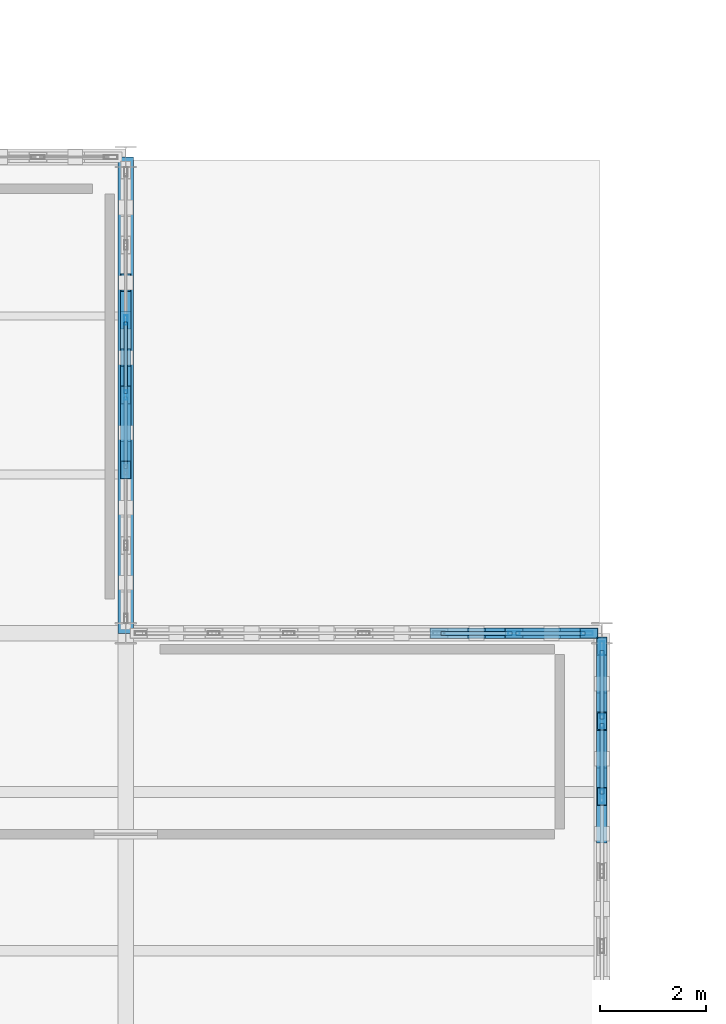
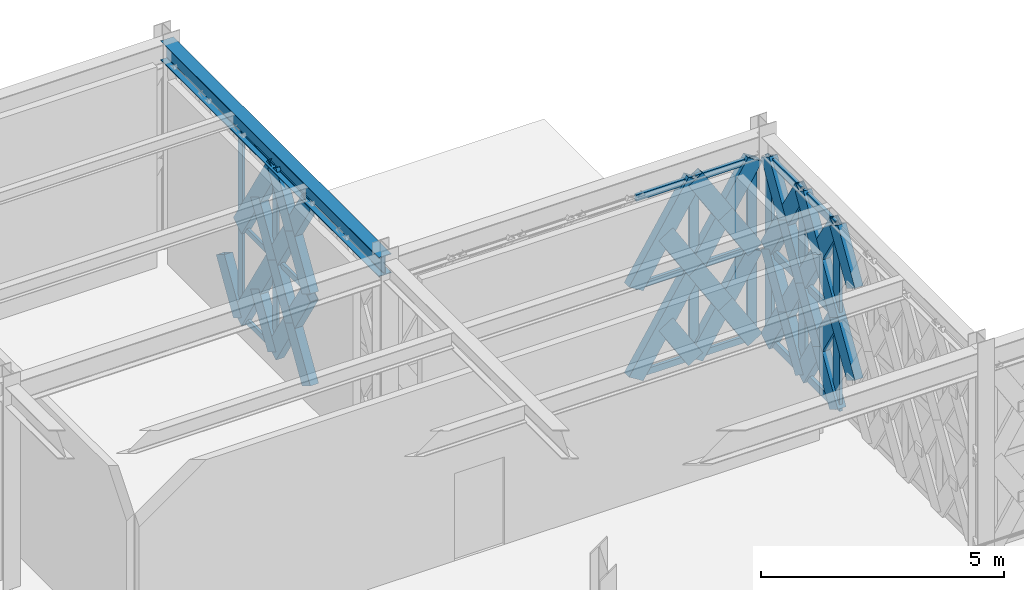
# One storey, part 98 of 140: 59 members, 1 beam, 3 elements without a shape of their own.
"""IFC4 building model written with IfcOpenShell, lengths in metres."""

from ifc_helpers import new_model, si_unit, direction, frame, origin, origin_2d, place, context, subcontext, project, spatial, hollow_rectangle, i_section, extrude, material, material_profile, profile_set, type_object, element, aggregate, save


model = new_model("IFC4")

# Units and contexts
model_context = context("Model", 3, precision=1e-05, world=origin(), true_north=direction((0.0, 1.0)))
body_context = subcontext(model_context, "Body", "Model", "MODEL_VIEW")
ifc_project = project(units=[si_unit("LENGTHUNIT", "METRE"), si_unit("AREAUNIT", "SQUARE_METRE"), si_unit("VOLUMEUNIT", "CUBIC_METRE"), si_unit("PLANEANGLEUNIT", "RADIAN"), si_unit("MASSUNIT", "GRAM", prefix="KILO")], contexts=[model_context])

# Site, building, storey
site_placement = place(None, origin())
site = spatial("IfcSite", under=ifc_project, at=site_placement, CompositionType="ELEMENT")
building_placement = place(site_placement, origin())
building = spatial("IfcBuilding", under=site, at=building_placement, Name="Haizhuo Lancet Aquarium", CompositionType="ELEMENT")
storey_placement = place(building_placement, origin())
storey = spatial("IfcBuildingStorey", under=building, at=storey_placement, Name="L00", CompositionType="ELEMENT", Elevation=0.0)

# Beam
ifc_material_1 = material(Name="Steel S355", Category="steel")
ifc_material_profile_1 = material_profile(ifc_material_1, i_section(OverallWidth=0.300048828125, OverallDepth=0.488037109375, WebThickness=0.010986328125, FlangeThickness=0.01806640625, FilletRadius=0.02392578125, at=origin_2d()), Name="HM 488x300x11x18")
ifc_profile_set_1 = profile_set([ifc_material_profile_1], Name="Steel S355")
beam_type = type_object("IfcBeamType", Name="BM-ST-HM488", PredefinedType="BEAM", material=ifc_profile_set_1)
beam_placement = place(storey_placement, frame((63.0, 27.0, 4.8759765625), z_axis=(0.0, 1.0, 0.0), x_axis=(-1.0, 0.0, 0.0)))
element("IfcBeam", 1, at=beam_placement, inside=storey, type_object=beam_type, Name="L00 V7 primary girder BM-L00-V7-021", PredefinedType="BEAM", context=body_context, shape_type="SweptSolid", body=[
    extrude(i_section(OverallWidth=0.300048828125, OverallDepth=0.488037109375, WebThickness=0.010986328125, FlangeThickness=0.01806640625, FilletRadius=0.02392578125, at=origin_2d()), origin(), (0.0, 0.0, 1.0), 9.0),
])

# Curtain wall, members
ifc_material_2 = material(Name="Aluminium 6063-T6", Category="aluminium")
curtain_wall_type_1 = type_object("IfcCurtainWallType", Name="CWD-8510x4630", PredefinedType="NOTDEFINED", material=ifc_material_2)
curtain_wall_1_placement = place(storey_placement, origin())
curtain_wall_1 = element("IfcCurtainWall", 2, at=curtain_wall_1_placement, inside=storey, type_object=curtain_wall_type_1, Name="L00 curtain wall CW-V7-L00-274", PredefinedType="NOTDEFINED")
ifc_material_profile_2 = material_profile(ifc_material_2, hollow_rectangle(XDim=0.06494140625, YDim=0.179931640625, WallThickness=0.00390625, at=origin_2d()), Name="ALU-M 65x180x4")
ifc_profile_set_2 = profile_set([ifc_material_profile_2], Name="Aluminium 6063-T6")
member_type_1 = type_object("IfcMemberType", Name="CW-MUL-1", PredefinedType="MULLION", material=ifc_profile_set_2)
member_1_placement = place(storey_placement, frame((63.0, 32.91796875, 0.0), z_axis=(0.0, 0.0, 1.0), x_axis=(1.0, 0.0, 0.0)))
member_1 = element("IfcMember", 3, at=member_1_placement, type_object=member_type_1, Name="CWD-85x46 mullion 3", PredefinedType="MULLION", context=body_context, shape_type="SweptSolid", body=[
    extrude(hollow_rectangle(XDim=0.06494140625, YDim=0.179931640625, WallThickness=0.00390625, at=origin_2d()), origin(), (0.0, 0.0, 1.0), 4.632080078125),
])
member_2_placement = place(storey_placement, frame((63.0, 31.5, 0.0), z_axis=(0.0, 0.0, 1.0), x_axis=(1.0, 0.0, 0.0)))
member_2 = element("IfcMember", 4, at=member_2_placement, type_object=member_type_1, Name="CWD-85x46 mullion 4", PredefinedType="MULLION", context=body_context, shape_type="SweptSolid", body=[
    extrude(hollow_rectangle(XDim=0.06494140625, YDim=0.179931640625, WallThickness=0.00390625, at=origin_2d()), origin(), (0.0, 0.0, 1.0), 4.632080078125),
])

curtain_wall_type_2 = type_object("IfcCurtainWallType", Name="CWD-8510x4530", PredefinedType="NOTDEFINED", material=ifc_material_2)
curtain_wall_2_placement = place(storey_placement, origin())
curtain_wall_2 = element("IfcCurtainWall", 5, at=curtain_wall_2_placement, inside=storey, type_object=curtain_wall_type_2, Name="L00 curtain wall CW-V7-L00-275", PredefinedType="NOTDEFINED")
ifc_material_profile_3 = material_profile(ifc_material_2, hollow_rectangle(XDim=0.074951171875, YDim=0.219970703125, WallThickness=0.0048828125, at=origin_2d()), Name="ALU-M 75x220x5")
ifc_profile_set_3 = profile_set([ifc_material_profile_3], Name="Aluminium 6063-T6")
member_type_2 = type_object("IfcMemberType", Name="CW-MUL-2", PredefinedType="MULLION", material=ifc_profile_set_3)
member_3_placement = place(storey_placement, frame((70.3369140625, 27.0, 0.0), z_axis=(0.0, 0.0, 1.0), x_axis=(0.0, 1.0, 0.0)))
member_3 = element("IfcMember", 6, at=member_3_placement, type_object=member_type_2, Name="CWD-85x45 mullion 6", PredefinedType="MULLION", context=body_context, shape_type="SweptSolid", body=[
    extrude(hollow_rectangle(XDim=0.074951171875, YDim=0.219970703125, WallThickness=0.0048828125, at=origin_2d()), origin(), (0.0, 0.0, 1.0), 4.531982421875),
])
member_4_placement = place(storey_placement, frame((71.718017578125, 27.0, 0.0), z_axis=(0.0, 0.0, 1.0), x_axis=(0.0, 1.0, 0.0)))
member_4 = element("IfcMember", 7, at=member_4_placement, type_object=member_type_2, Name="CWD-85x45 mullion 7", PredefinedType="MULLION", context=body_context, shape_type="SweptSolid", body=[
    extrude(hollow_rectangle(XDim=0.074951171875, YDim=0.219970703125, WallThickness=0.0048828125, at=origin_2d()), origin(), (0.0, 0.0, 1.0), 4.531982421875),
])

curtain_wall_3_placement = place(storey_placement, origin())
curtain_wall_3 = element("IfcCurtainWall", 8, at=curtain_wall_3_placement, inside=storey, type_object=curtain_wall_type_1, Name="L00 curtain wall CW-V7-L00-276", PredefinedType="NOTDEFINED")
ifc_material_profile_4 = material_profile(ifc_material_2, hollow_rectangle(XDim=0.080078125, YDim=0.260009765625, WallThickness=0.0048828125, at=origin_2d()), Name="ALU-M 80x260x5")
ifc_profile_set_4 = profile_set([ifc_material_profile_4], Name="Aluminium 6063-T6")
member_type_3 = type_object("IfcMemberType", Name="CW-MUL-3", PredefinedType="MULLION", material=ifc_profile_set_4)
member_5_placement = place(storey_placement, frame((72.0, 26.715087890625, 0.0), z_axis=(0.0, 0.0, 1.0), x_axis=(1.0, 0.0, 0.0)))
member_5 = element("IfcMember", 9, at=member_5_placement, type_object=member_type_3, Name="CWD-85x46 mullion 1", PredefinedType="MULLION", context=body_context, shape_type="SweptSolid", body=[
    extrude(hollow_rectangle(XDim=0.080078125, YDim=0.260009765625, WallThickness=0.0048828125, at=origin_2d()), origin(), (0.0, 0.0, 1.0), 4.632080078125),
])
member_6_placement = place(storey_placement, frame((72.0, 25.3369140625, 0.0), z_axis=(0.0, 0.0, 1.0), x_axis=(1.0, 0.0, 0.0)))
member_6 = element("IfcMember", 10, at=member_6_placement, type_object=member_type_3, Name="CWD-85x46 mullion 2", PredefinedType="MULLION", context=body_context, shape_type="SweptSolid", body=[
    extrude(hollow_rectangle(XDim=0.080078125, YDim=0.260009765625, WallThickness=0.0048828125, at=origin_2d()), origin(), (0.0, 0.0, 1.0), 4.632080078125),
])
member_7_placement = place(storey_placement, frame((72.0, 23.91796875, 0.0), z_axis=(0.0, 0.0, 1.0), x_axis=(1.0, 0.0, 0.0)))
member_7 = element("IfcMember", 11, at=member_7_placement, type_object=member_type_3, Name="CWD-85x46 mullion 3", PredefinedType="MULLION", context=body_context, shape_type="SweptSolid", body=[
    extrude(hollow_rectangle(XDim=0.080078125, YDim=0.260009765625, WallThickness=0.0048828125, at=origin_2d()), origin(), (0.0, 0.0, 1.0), 4.632080078125),
])

# Member
ifc_material_profile_5 = material_profile(ifc_material_2, hollow_rectangle(XDim=0.06494140625, YDim=0.139892578125, WallThickness=0.00390625, at=origin_2d()), Name="ALU-T 65x140x4")
ifc_profile_set_5 = profile_set([ifc_material_profile_5], Name="Aluminium 6063-T6")
member_type_4 = type_object("IfcMemberType", Name="CW-TRN-1", PredefinedType="NOTDEFINED", material=ifc_profile_set_5)
member_8_placement = place(storey_placement, frame((63.0, 32.885986328125, 0.032958984375), z_axis=(0.0, -1.0, 0.0), x_axis=(1.0, 0.0, 0.0)))
member_8 = element("IfcMember", 12, at=member_8_placement, type_object=member_type_4, Name="CWD-85x46 transom 3.1", ObjectType="TRANSOM", PredefinedType="USERDEFINED", context=body_context, shape_type="SweptSolid", body=[
    extrude(hollow_rectangle(XDim=0.06494140625, YDim=0.139892578125, WallThickness=0.00390625, at=origin_2d()), origin(), (0.0, 0.0, 1.0), 1.35302734375),
])

member_9_placement = place(storey_placement, frame((63.0, 32.885986328125, 2.31591796875), z_axis=(0.0, -1.0, 0.0), x_axis=(1.0, 0.0, 0.0)))
member_9 = element("IfcMember", 13, at=member_9_placement, type_object=member_type_4, Name="CWD-85x46 transom 3.2", ObjectType="TRANSOM", PredefinedType="USERDEFINED", context=body_context, shape_type="SweptSolid", body=[
    extrude(hollow_rectangle(XDim=0.06494140625, YDim=0.139892578125, WallThickness=0.00390625, at=origin_2d()), origin(), (0.0, 0.0, 1.0), 1.35302734375),
])

member_10_placement = place(storey_placement, frame((63.0, 32.885986328125, 4.59912109375), z_axis=(0.0, -1.0, 0.0), x_axis=(1.0, 0.0, 0.0)))
member_10 = element("IfcMember", 14, at=member_10_placement, type_object=member_type_4, Name="CWD-85x46 transom 3.3", ObjectType="TRANSOM", PredefinedType="USERDEFINED", context=body_context, shape_type="SweptSolid", body=[
    extrude(hollow_rectangle(XDim=0.06494140625, YDim=0.139892578125, WallThickness=0.00390625, at=origin_2d()), origin(), (0.0, 0.0, 1.0), 1.35302734375),
])

member_11_placement = place(storey_placement, frame((63.0, 31.468017578125, 2.31591796875), z_axis=(0.0, -1.0, 0.0), x_axis=(1.0, 0.0, 0.0)))
member_11 = element("IfcMember", 15, at=member_11_placement, type_object=member_type_4, Name="CWD-85x46 transom 4.2", ObjectType="TRANSOM", PredefinedType="USERDEFINED", context=body_context, shape_type="SweptSolid", body=[
    extrude(hollow_rectangle(XDim=0.06494140625, YDim=0.139892578125, WallThickness=0.00390625, at=origin_2d()), origin(), (0.0, 0.0, 1.0), 1.35400390625),
])

member_12_placement = place(storey_placement, frame((63.0, 31.468017578125, 4.59912109375), z_axis=(0.0, -1.0, 0.0), x_axis=(1.0, 0.0, 0.0)))
member_12 = element("IfcMember", 16, at=member_12_placement, type_object=member_type_4, Name="CWD-85x46 transom 4.3", ObjectType="TRANSOM", PredefinedType="USERDEFINED", context=body_context, shape_type="SweptSolid", body=[
    extrude(hollow_rectangle(XDim=0.06494140625, YDim=0.139892578125, WallThickness=0.00390625, at=origin_2d()), origin(), (0.0, 0.0, 1.0), 1.35400390625),
])

aggregate(curtain_wall_1, [member_1, member_2, member_8, member_9, member_10, member_11, member_12])

ifc_material_profile_6 = material_profile(ifc_material_2, hollow_rectangle(XDim=0.074951171875, YDim=0.159912109375, WallThickness=0.00390625, at=origin_2d()), Name="ALU-T 75x160x4")
ifc_profile_set_6 = profile_set([ifc_material_profile_6], Name="Aluminium 6063-T6")
member_type_5 = type_object("IfcMemberType", Name="CW-TRN-2", PredefinedType="NOTDEFINED", material=ifc_profile_set_6)
member_13_placement = place(storey_placement, frame((68.9560546875, 27.0, 0.037109375), z_axis=(1.0, 0.0, 0.0), x_axis=(0.0, 1.0, 0.0)))
member_13 = element("IfcMember", 17, at=member_13_placement, type_object=member_type_5, Name="CWD-85x45 transom 5.1", ObjectType="TRANSOM", PredefinedType="USERDEFINED", context=body_context, shape_type="SweptSolid", body=[
    extrude(hollow_rectangle(XDim=0.074951171875, YDim=0.159912109375, WallThickness=0.00390625, at=origin_2d()), origin(), (0.0, 0.0, 1.0), 1.343017578125),
])

member_14_placement = place(storey_placement, frame((68.9560546875, 27.0, 2.26611328125), z_axis=(1.0, 0.0, 0.0), x_axis=(0.0, 1.0, 0.0)))
member_14 = element("IfcMember", 18, at=member_14_placement, type_object=member_type_5, Name="CWD-85x45 transom 5.2", ObjectType="TRANSOM", PredefinedType="USERDEFINED", context=body_context, shape_type="SweptSolid", body=[
    extrude(hollow_rectangle(XDim=0.074951171875, YDim=0.159912109375, WallThickness=0.00390625, at=origin_2d()), origin(), (0.0, 0.0, 1.0), 1.343017578125),
])

member_15_placement = place(storey_placement, frame((68.9560546875, 27.0, 4.4951171875), z_axis=(1.0, 0.0, 0.0), x_axis=(0.0, 1.0, 0.0)))
member_15 = element("IfcMember", 19, at=member_15_placement, type_object=member_type_5, Name="CWD-85x45 transom 5.3", ObjectType="TRANSOM", PredefinedType="USERDEFINED", context=body_context, shape_type="SweptSolid", body=[
    extrude(hollow_rectangle(XDim=0.074951171875, YDim=0.159912109375, WallThickness=0.00390625, at=origin_2d()), origin(), (0.0, 0.0, 1.0), 1.343017578125),
])

member_16_placement = place(storey_placement, frame((70.3740234375, 27.0, 0.037109375), z_axis=(1.0, 0.0, 0.0), x_axis=(0.0, 1.0, 0.0)))
member_16 = element("IfcMember", 20, at=member_16_placement, type_object=member_type_5, Name="CWD-85x45 transom 6.1", ObjectType="TRANSOM", PredefinedType="USERDEFINED", context=body_context, shape_type="SweptSolid", body=[
    extrude(hollow_rectangle(XDim=0.074951171875, YDim=0.159912109375, WallThickness=0.00390625, at=origin_2d()), origin(), (0.0, 0.0, 1.0), 1.305908203125),
])

member_17_placement = place(storey_placement, frame((70.3740234375, 27.0, 2.26611328125), z_axis=(1.0, 0.0, 0.0), x_axis=(0.0, 1.0, 0.0)))
member_17 = element("IfcMember", 21, at=member_17_placement, type_object=member_type_5, Name="CWD-85x45 transom 6.2", ObjectType="TRANSOM", PredefinedType="USERDEFINED", context=body_context, shape_type="SweptSolid", body=[
    extrude(hollow_rectangle(XDim=0.074951171875, YDim=0.159912109375, WallThickness=0.00390625, at=origin_2d()), origin(), (0.0, 0.0, 1.0), 1.305908203125),
])

member_18_placement = place(storey_placement, frame((70.3740234375, 27.0, 4.4951171875), z_axis=(1.0, 0.0, 0.0), x_axis=(0.0, 1.0, 0.0)))
member_18 = element("IfcMember", 22, at=member_18_placement, type_object=member_type_5, Name="CWD-85x45 transom 6.3", ObjectType="TRANSOM", PredefinedType="USERDEFINED", context=body_context, shape_type="SweptSolid", body=[
    extrude(hollow_rectangle(XDim=0.074951171875, YDim=0.159912109375, WallThickness=0.00390625, at=origin_2d()), origin(), (0.0, 0.0, 1.0), 1.305908203125),
])

aggregate(curtain_wall_2, [member_3, member_4, member_13, member_14, member_15, member_16, member_17, member_18])

ifc_material_profile_7 = material_profile(ifc_material_2, hollow_rectangle(XDim=0.080078125, YDim=0.18994140625, WallThickness=0.0048828125, at=origin_2d()), Name="ALU-T 80x190x5")
ifc_profile_set_7 = profile_set([ifc_material_profile_7], Name="Aluminium 6063-T6")
member_type_6 = type_object("IfcMemberType", Name="CW-TRN-3", PredefinedType="NOTDEFINED", material=ifc_profile_set_7)
member_19_placement = place(storey_placement, frame((72.0, 26.675048828125, 0.0400390625), z_axis=(0.0, -1.0, 0.0), x_axis=(1.0, 0.0, 0.0)))
member_19 = element("IfcMember", 23, at=member_19_placement, type_object=member_type_6, Name="CWD-85x46 transom 1.1", ObjectType="TRANSOM", PredefinedType="USERDEFINED", context=body_context, shape_type="SweptSolid", body=[
    extrude(hollow_rectangle(XDim=0.080078125, YDim=0.18994140625, WallThickness=0.0048828125, at=origin_2d()), origin(), (0.0, 0.0, 1.0), 1.298095703125),
])

member_20_placement = place(storey_placement, frame((72.0, 26.675048828125, 2.31591796875), z_axis=(0.0, -1.0, 0.0), x_axis=(1.0, 0.0, 0.0)))
member_20 = element("IfcMember", 24, at=member_20_placement, type_object=member_type_6, Name="CWD-85x46 transom 1.2", ObjectType="TRANSOM", PredefinedType="USERDEFINED", context=body_context, shape_type="SweptSolid", body=[
    extrude(hollow_rectangle(XDim=0.080078125, YDim=0.18994140625, WallThickness=0.0048828125, at=origin_2d()), origin(), (0.0, 0.0, 1.0), 1.298095703125),
])

member_21_placement = place(storey_placement, frame((72.0, 26.675048828125, 4.592041015625), z_axis=(0.0, -1.0, 0.0), x_axis=(1.0, 0.0, 0.0)))
member_21 = element("IfcMember", 25, at=member_21_placement, type_object=member_type_6, Name="CWD-85x46 transom 1.3", ObjectType="TRANSOM", PredefinedType="USERDEFINED", context=body_context, shape_type="SweptSolid", body=[
    extrude(hollow_rectangle(XDim=0.080078125, YDim=0.18994140625, WallThickness=0.0048828125, at=origin_2d()), origin(), (0.0, 0.0, 1.0), 1.298095703125),
])

member_22_placement = place(storey_placement, frame((72.0, 25.297119140625, 0.0400390625), z_axis=(0.0, -1.0, 0.0), x_axis=(1.0, 0.0, 0.0)))
member_22 = element("IfcMember", 26, at=member_22_placement, type_object=member_type_6, Name="CWD-85x46 transom 2.1", ObjectType="TRANSOM", PredefinedType="USERDEFINED", context=body_context, shape_type="SweptSolid", body=[
    extrude(hollow_rectangle(XDim=0.080078125, YDim=0.18994140625, WallThickness=0.0048828125, at=origin_2d()), origin(), (0.0, 0.0, 1.0), 1.339111328125),
])

member_23_placement = place(storey_placement, frame((72.0, 25.297119140625, 2.31591796875), z_axis=(0.0, -1.0, 0.0), x_axis=(1.0, 0.0, 0.0)))
member_23 = element("IfcMember", 27, at=member_23_placement, type_object=member_type_6, Name="CWD-85x46 transom 2.2", ObjectType="TRANSOM", PredefinedType="USERDEFINED", context=body_context, shape_type="SweptSolid", body=[
    extrude(hollow_rectangle(XDim=0.080078125, YDim=0.18994140625, WallThickness=0.0048828125, at=origin_2d()), origin(), (0.0, 0.0, 1.0), 1.339111328125),
])

member_24_placement = place(storey_placement, frame((72.0, 25.297119140625, 4.592041015625), z_axis=(0.0, -1.0, 0.0), x_axis=(1.0, 0.0, 0.0)))
member_24 = element("IfcMember", 28, at=member_24_placement, type_object=member_type_6, Name="CWD-85x46 transom 2.3", ObjectType="TRANSOM", PredefinedType="USERDEFINED", context=body_context, shape_type="SweptSolid", body=[
    extrude(hollow_rectangle(XDim=0.080078125, YDim=0.18994140625, WallThickness=0.0048828125, at=origin_2d()), origin(), (0.0, 0.0, 1.0), 1.339111328125),
])

aggregate(curtain_wall_3, [member_5, member_6, member_7, member_19, member_20, member_21, member_22, member_23, member_24])

# Members
ifc_material_profile_8 = material_profile(ifc_material_1, hollow_rectangle(XDim=0.199951171875, YDim=0.39990234375, WallThickness=0.011962890625, at=origin_2d()), Name="RHS 200x400x12")
ifc_profile_set_8 = profile_set([ifc_material_profile_8], Name="Steel S355")
member_type_7 = type_object("IfcMemberType", Name="MEM-LB-RHS200x400", PredefinedType="BRACE", material=ifc_profile_set_8)
member_25_placement = place(storey_placement, frame((63.0, 32.91796875, 0.0), z_axis=(0.0, 0.52216987418, 0.852841499048), x_axis=(-1.0, 0.0, 0.0)))
element("IfcMember", 29, at=member_25_placement, inside=storey, type_object=member_type_7, Name="Gothic lancet split diagonal brace CW-V7-L00-274 3B1", PredefinedType="BRACE", context=body_context, shape_type="SweptSolid", body=[
    extrude(hollow_rectangle(XDim=0.199951171875, YDim=0.39990234375, WallThickness=0.011962890625, at=origin_2d()), origin(), (0.0, 0.0, 1.0), 1.357666015625),
])
member_26_placement = place(storey_placement, frame((63.0, 32.91796875, 0.0), z_axis=(0.0, -0.52216987418, 0.852841499048), x_axis=(1.0, 0.0, 0.0)))
element("IfcMember", 30, at=member_26_placement, inside=storey, type_object=member_type_7, Name="Gothic lancet continuous diagonal brace CW-V7-L00-274 5A", PredefinedType="BRACE", context=body_context, shape_type="SweptSolid", body=[
    extrude(hollow_rectangle(XDim=0.199951171875, YDim=0.39990234375, WallThickness=0.011962890625, at=origin_2d()), origin(), (0.0, 0.0, 1.0), 2.715576171875),
])
member_27_placement = place(storey_placement, frame((63.0, 31.5, 0.0), z_axis=(0.0, 0.52216987418, 0.852841499048), x_axis=(-1.0, 0.0, 0.0)))
element("IfcMember", 31, at=member_27_placement, inside=storey, type_object=member_type_7, Name="Gothic lancet split diagonal brace CW-V7-L00-274 5B1", PredefinedType="BRACE", context=body_context, shape_type="SweptSolid", body=[
    extrude(hollow_rectangle(XDim=0.199951171875, YDim=0.39990234375, WallThickness=0.011962890625, at=origin_2d()), origin(), (0.0, 0.0, 1.0), 1.357666015625),
])
member_28_placement = place(storey_placement, frame((63.0, 32.91796875, 2.31591796875), z_axis=(0.0, -0.522129839323, 0.852866009927), x_axis=(1.0, 0.0, 0.0)))
element("IfcMember", 32, at=member_28_placement, inside=storey, type_object=member_type_7, Name="Gothic lancet continuous diagonal brace CW-V7-L00-274 6A", PredefinedType="BRACE", context=body_context, shape_type="SweptSolid", body=[
    extrude(hollow_rectangle(XDim=0.199951171875, YDim=0.39990234375, WallThickness=0.011962890625, at=origin_2d()), origin(), (0.0, 0.0, 1.0), 2.7158203125),
])
member_29_placement = place(storey_placement, frame((63.0, 31.5, 2.31591796875), z_axis=(0.0, 0.522089809454, 0.852890515168), x_axis=(-1.0, 0.0, 0.0)))
element("IfcMember", 33, at=member_29_placement, inside=storey, type_object=member_type_7, Name="Gothic lancet split diagonal brace CW-V7-L00-274 6B1", PredefinedType="BRACE", context=body_context, shape_type="SweptSolid", body=[
    extrude(hollow_rectangle(XDim=0.199951171875, YDim=0.39990234375, WallThickness=0.011962890625, at=origin_2d()), origin(), (0.0, 0.0, 1.0), 1.35791015625),
])
member_30_placement = place(storey_placement, frame((63.0, 31.5, 0.0), z_axis=(0.0, -0.52216987418, 0.852841499048), x_axis=(1.0, 0.0, 0.0)))
element("IfcMember", 34, at=member_30_placement, inside=storey, type_object=member_type_7, Name="Gothic lancet continuous diagonal brace CW-V7-L00-274 7A", PredefinedType="BRACE", context=body_context, shape_type="SweptSolid", body=[
    extrude(hollow_rectangle(XDim=0.199951171875, YDim=0.39990234375, WallThickness=0.011962890625, at=origin_2d()), origin(), (0.0, 0.0, 1.0), 2.715576171875),
])
for number, where, z_axis, x_axis, name in (
    (35, (63.0, 30.08203125, 0.0), (0.0, 0.52216987418, 0.852841499048), (-1.0, 0.0, 0.0), "Gothic lancet split diagonal brace CW-V7-L00-274 7B1"),
    (36, (63.0, 30.791015625, 1.157958984375), (0.0, 0.52216987418, 0.852841499048), (-1.0, 0.0, 0.0), "Gothic lancet split diagonal brace CW-V7-L00-274 7B2"),
):
    element("IfcMember", number, at=place(storey_placement, frame(where, z_axis=z_axis, x_axis=x_axis)), inside=storey, type_object=member_type_7, Name=name, PredefinedType="BRACE", context=body_context, shape_type="SweptSolid", body=[
        extrude(hollow_rectangle(XDim=0.199951171875, YDim=0.39990234375, WallThickness=0.011962890625, at=origin_2d()), origin(), (0.0, 0.0, 1.0), 1.357666015625),
    ])
member_31_placement = place(storey_placement, frame((63.0, 31.5, 2.31591796875), z_axis=(0.0, -0.522129839323, 0.852866009927), x_axis=(1.0, 0.0, 0.0)))
element("IfcMember", 37, at=member_31_placement, inside=storey, type_object=member_type_7, Name="Gothic lancet continuous diagonal brace CW-V7-L00-274 8A", PredefinedType="BRACE", context=body_context, shape_type="SweptSolid", body=[
    extrude(hollow_rectangle(XDim=0.199951171875, YDim=0.39990234375, WallThickness=0.011962890625, at=origin_2d()), origin(), (0.0, 0.0, 1.0), 2.7158203125),
])
member_32_placement = place(storey_placement, frame((63.0, 30.08203125, 2.31591796875), z_axis=(0.0, 0.522089809454, 0.852890515168), x_axis=(-1.0, 0.0, 0.0)))
element("IfcMember", 38, at=member_32_placement, inside=storey, type_object=member_type_7, Name="Gothic lancet split diagonal brace CW-V7-L00-274 8B1", PredefinedType="BRACE", context=body_context, shape_type="SweptSolid", body=[
    extrude(hollow_rectangle(XDim=0.199951171875, YDim=0.39990234375, WallThickness=0.011962890625, at=origin_2d()), origin(), (0.0, 0.0, 1.0), 1.35791015625),
])
member_33_placement = place(storey_placement, frame((63.0, 30.791015625, 3.47412109375), z_axis=(0.0, 0.52216987418, 0.852841499048), x_axis=(-1.0, 0.0, 0.0)))
element("IfcMember", 39, at=member_33_placement, inside=storey, type_object=member_type_7, Name="Gothic lancet split diagonal brace CW-V7-L00-274 8B2", PredefinedType="BRACE", context=body_context, shape_type="SweptSolid", body=[
    extrude(hollow_rectangle(XDim=0.199951171875, YDim=0.39990234375, WallThickness=0.011962890625, at=origin_2d()), origin(), (0.0, 0.0, 1.0), 1.357666015625),
])
member_34_placement = place(storey_placement, frame((68.91796875, 27.0, 0.0), z_axis=(0.530704627976, 0.0, 0.84755684048), x_axis=(0.0, 1.0, 0.0)))
element("IfcMember", 40, at=member_34_placement, inside=storey, type_object=member_type_7, Name="Gothic lancet continuous diagonal brace CW-V7-L00-275 9A", PredefinedType="BRACE", context=body_context, shape_type="SweptSolid", body=[
    extrude(hollow_rectangle(XDim=0.199951171875, YDim=0.39990234375, WallThickness=0.011962890625, at=origin_2d()), origin(), (0.0, 0.0, 1.0), 2.673583984375),
])
member_35_placement = place(storey_placement, frame((70.3369140625, 27.0, 0.0), z_axis=(-0.530966928191, 0.0, 0.847392542549), x_axis=(0.0, -1.0, 0.0)))
element("IfcMember", 41, at=member_35_placement, inside=storey, type_object=member_type_7, Name="Gothic lancet split diagonal brace CW-V7-L00-275 9B1", PredefinedType="BRACE", context=body_context, shape_type="SweptSolid", body=[
    extrude(hollow_rectangle(XDim=0.199951171875, YDim=0.39990234375, WallThickness=0.011962890625, at=origin_2d()), origin(), (0.0, 0.0, 1.0), 1.337158203125),
])
member_36_placement = place(storey_placement, frame((68.91796875, 27.0, 2.26611328125), z_axis=(0.530745702827, 0.0, 0.847531119742), x_axis=(0.0, 1.0, 0.0)))
element("IfcMember", 42, at=member_36_placement, inside=storey, type_object=member_type_7, Name="Gothic lancet continuous diagonal brace CW-V7-L00-275 10A", PredefinedType="BRACE", context=body_context, shape_type="SweptSolid", body=[
    extrude(hollow_rectangle(XDim=0.199951171875, YDim=0.39990234375, WallThickness=0.011962890625, at=origin_2d()), origin(), (0.0, 0.0, 1.0), 2.673583984375),
])
member_37_placement = place(storey_placement, frame((70.3369140625, 27.0, 2.26611328125), z_axis=(-0.531049091739, 0.0, 0.847341054218), x_axis=(0.0, -1.0, 0.0)))
element("IfcMember", 43, at=member_37_placement, inside=storey, type_object=member_type_7, Name="Gothic lancet split diagonal brace CW-V7-L00-275 10B1", PredefinedType="BRACE", context=body_context, shape_type="SweptSolid", body=[
    extrude(hollow_rectangle(XDim=0.199951171875, YDim=0.39990234375, WallThickness=0.011962890625, at=origin_2d()), origin(), (0.0, 0.0, 1.0), 1.3369140625),
])
member_38_placement = place(storey_placement, frame((70.3369140625, 27.0, 0.0), z_axis=(0.530442175185, 0.0, 0.847721120879), x_axis=(0.0, 1.0, 0.0)))
element("IfcMember", 44, at=member_38_placement, inside=storey, type_object=member_type_7, Name="Gothic lancet continuous diagonal brace CW-V7-L00-275 11A", PredefinedType="BRACE", context=body_context, shape_type="SweptSolid", body=[
    extrude(hollow_rectangle(XDim=0.199951171875, YDim=0.39990234375, WallThickness=0.011962890625, at=origin_2d()), origin(), (0.0, 0.0, 1.0), 2.673095703125),
])
for number, where, z_axis, x_axis, name in (
    (45, (71.7548828125, 27.0, 0.0), (-0.530442175185, 0.0, 0.847721120879), (0.0, -1.0, 0.0), "Gothic lancet split diagonal brace CW-V7-L00-275 11B1"),
    (46, (71.0458984375, 27.0, 1.133056640625), (-0.530442175185, 0.0, 0.847721120879), (0.0, -1.0, 0.0), "Gothic lancet split diagonal brace CW-V7-L00-275 11B2"),
):
    element("IfcMember", number, at=place(storey_placement, frame(where, z_axis=z_axis, x_axis=x_axis)), inside=storey, type_object=member_type_7, Name=name, PredefinedType="BRACE", context=body_context, shape_type="SweptSolid", body=[
        extrude(hollow_rectangle(XDim=0.199951171875, YDim=0.39990234375, WallThickness=0.011962890625, at=origin_2d()), origin(), (0.0, 0.0, 1.0), 1.336669921875),
    ])
member_39_placement = place(storey_placement, frame((70.3369140625, 27.0, 2.26611328125), z_axis=(0.530483245642, 0.0, 0.847695420592), x_axis=(0.0, 1.0, 0.0)))
element("IfcMember", 47, at=member_39_placement, inside=storey, type_object=member_type_7, Name="Gothic lancet continuous diagonal brace CW-V7-L00-275 12A", PredefinedType="BRACE", context=body_context, shape_type="SweptSolid", body=[
    extrude(hollow_rectangle(XDim=0.199951171875, YDim=0.39990234375, WallThickness=0.011962890625, at=origin_2d()), origin(), (0.0, 0.0, 1.0), 2.673095703125),
])
member_40_placement = place(storey_placement, frame((71.7548828125, 27.0, 2.26611328125), z_axis=(-0.530524321213, 0.0, 0.847669714335), x_axis=(0.0, -1.0, 0.0)))
element("IfcMember", 48, at=member_40_placement, inside=storey, type_object=member_type_7, Name="Gothic lancet split diagonal brace CW-V7-L00-275 12B1", PredefinedType="BRACE", context=body_context, shape_type="SweptSolid", body=[
    extrude(hollow_rectangle(XDim=0.199951171875, YDim=0.39990234375, WallThickness=0.011962890625, at=origin_2d()), origin(), (0.0, 0.0, 1.0), 1.33642578125),
])
member_41_placement = place(storey_placement, frame((71.0458984375, 27.0, 3.39892578125), z_axis=(-0.530442175185, 0.0, 0.847721120879), x_axis=(0.0, -1.0, 0.0)))
element("IfcMember", 49, at=member_41_placement, inside=storey, type_object=member_type_7, Name="Gothic lancet split diagonal brace CW-V7-L00-275 12B2", PredefinedType="BRACE", context=body_context, shape_type="SweptSolid", body=[
    extrude(hollow_rectangle(XDim=0.199951171875, YDim=0.39990234375, WallThickness=0.011962890625, at=origin_2d()), origin(), (0.0, 0.0, 1.0), 1.336669921875),
])
member_42_placement = place(storey_placement, frame((72.0, 26.7548828125, 0.0), z_axis=(0.0, -0.52216987418, 0.852841499048), x_axis=(1.0, 0.0, 0.0)))
element("IfcMember", 50, at=member_42_placement, inside=storey, type_object=member_type_7, Name="Gothic lancet continuous diagonal brace CW-V7-L00-276 1A", PredefinedType="BRACE", context=body_context, shape_type="SweptSolid", body=[
    extrude(hollow_rectangle(XDim=0.199951171875, YDim=0.39990234375, WallThickness=0.011962890625, at=origin_2d()), origin(), (0.0, 0.0, 1.0), 2.715576171875),
])
for number, where, z_axis, x_axis, name in (
    (51, (72.0, 25.3369140625, 0.0), (0.0, 0.52216987418, 0.852841499048), (-1.0, 0.0, 0.0), "Gothic lancet split diagonal brace CW-V7-L00-276 1B1"),
    (52, (72.0, 26.0458984375, 1.157958984375), (0.0, 0.52216987418, 0.852841499048), (-1.0, 0.0, 0.0), "Gothic lancet split diagonal brace CW-V7-L00-276 1B2"),
):
    element("IfcMember", number, at=place(storey_placement, frame(where, z_axis=z_axis, x_axis=x_axis)), inside=storey, type_object=member_type_7, Name=name, PredefinedType="BRACE", context=body_context, shape_type="SweptSolid", body=[
        extrude(hollow_rectangle(XDim=0.199951171875, YDim=0.39990234375, WallThickness=0.011962890625, at=origin_2d()), origin(), (0.0, 0.0, 1.0), 1.357666015625),
    ])
member_43_placement = place(storey_placement, frame((72.0, 26.7548828125, 2.31591796875), z_axis=(0.0, -0.522129839323, 0.852866009927), x_axis=(1.0, 0.0, 0.0)))
element("IfcMember", 53, at=member_43_placement, inside=storey, type_object=member_type_7, Name="Gothic lancet continuous diagonal brace CW-V7-L00-276 2A", PredefinedType="BRACE", context=body_context, shape_type="SweptSolid", body=[
    extrude(hollow_rectangle(XDim=0.199951171875, YDim=0.39990234375, WallThickness=0.011962890625, at=origin_2d()), origin(), (0.0, 0.0, 1.0), 2.7158203125),
])
member_44_placement = place(storey_placement, frame((72.0, 25.3369140625, 2.31591796875), z_axis=(0.0, 0.522089809454, 0.852890515168), x_axis=(-1.0, 0.0, 0.0)))
element("IfcMember", 54, at=member_44_placement, inside=storey, type_object=member_type_7, Name="Gothic lancet split diagonal brace CW-V7-L00-276 2B1", PredefinedType="BRACE", context=body_context, shape_type="SweptSolid", body=[
    extrude(hollow_rectangle(XDim=0.199951171875, YDim=0.39990234375, WallThickness=0.011962890625, at=origin_2d()), origin(), (0.0, 0.0, 1.0), 1.35791015625),
])
member_45_placement = place(storey_placement, frame((72.0, 26.0458984375, 3.47412109375), z_axis=(0.0, 0.52216987418, 0.852841499048), x_axis=(-1.0, 0.0, 0.0)))
element("IfcMember", 55, at=member_45_placement, inside=storey, type_object=member_type_7, Name="Gothic lancet split diagonal brace CW-V7-L00-276 2B2", PredefinedType="BRACE", context=body_context, shape_type="SweptSolid", body=[
    extrude(hollow_rectangle(XDim=0.199951171875, YDim=0.39990234375, WallThickness=0.011962890625, at=origin_2d()), origin(), (0.0, 0.0, 1.0), 1.357666015625),
])
member_46_placement = place(storey_placement, frame((72.0, 25.3369140625, 0.0), z_axis=(0.0, -0.522431366844, 0.852681339621), x_axis=(1.0, 0.0, 0.0)))
element("IfcMember", 56, at=member_46_placement, inside=storey, type_object=member_type_7, Name="Gothic lancet continuous diagonal brace CW-V7-L00-276 3A", PredefinedType="BRACE", context=body_context, shape_type="SweptSolid", body=[
    extrude(hollow_rectangle(XDim=0.199951171875, YDim=0.39990234375, WallThickness=0.011962890625, at=origin_2d()), origin(), (0.0, 0.0, 1.0), 2.716064453125),
])
member_47_placement = place(storey_placement, frame((72.0, 23.91796875, 0.0), z_axis=(0.0, 0.52216987418, 0.852841499048), x_axis=(-1.0, 0.0, 0.0)))
element("IfcMember", 57, at=member_47_placement, inside=storey, type_object=member_type_7, Name="Gothic lancet split diagonal brace CW-V7-L00-276 3B1", PredefinedType="BRACE", context=body_context, shape_type="SweptSolid", body=[
    extrude(hollow_rectangle(XDim=0.199951171875, YDim=0.39990234375, WallThickness=0.011962890625, at=origin_2d()), origin(), (0.0, 0.0, 1.0), 1.357666015625),
])
member_48_placement = place(storey_placement, frame((72.0, 24.626953125, 1.157958984375), z_axis=(0.0, 0.522692712191, 0.85252116022), x_axis=(-1.0, 0.0, 0.0)))
element("IfcMember", 58, at=member_48_placement, inside=storey, type_object=member_type_7, Name="Gothic lancet split diagonal brace CW-V7-L00-276 3B2", PredefinedType="BRACE", context=body_context, shape_type="SweptSolid", body=[
    extrude(hollow_rectangle(XDim=0.199951171875, YDim=0.39990234375, WallThickness=0.011962890625, at=origin_2d()), origin(), (0.0, 0.0, 1.0), 1.358154296875),
])
member_49_placement = place(storey_placement, frame((72.0, 25.3369140625, 2.31591796875), z_axis=(0.0, -0.522391326979, 0.852705870449), x_axis=(1.0, 0.0, 0.0)))
element("IfcMember", 59, at=member_49_placement, inside=storey, type_object=member_type_7, Name="Gothic lancet continuous diagonal brace CW-V7-L00-276 4A", PredefinedType="BRACE", context=body_context, shape_type="SweptSolid", body=[
    extrude(hollow_rectangle(XDim=0.199951171875, YDim=0.39990234375, WallThickness=0.011962890625, at=origin_2d()), origin(), (0.0, 0.0, 1.0), 2.71630859375),
])
member_50_placement = place(storey_placement, frame((72.0, 23.91796875, 2.31591796875), z_axis=(0.0, 0.522089809454, 0.852890515168), x_axis=(-1.0, 0.0, 0.0)))
element("IfcMember", 60, at=member_50_placement, inside=storey, type_object=member_type_7, Name="Gothic lancet split diagonal brace CW-V7-L00-276 4B1", PredefinedType="BRACE", context=body_context, shape_type="SweptSolid", body=[
    extrude(hollow_rectangle(XDim=0.199951171875, YDim=0.39990234375, WallThickness=0.011962890625, at=origin_2d()), origin(), (0.0, 0.0, 1.0), 1.35791015625),
])
member_51_placement = place(storey_placement, frame((72.0, 24.626953125, 3.47412109375), z_axis=(0.0, 0.522692712191, 0.85252116022), x_axis=(-1.0, 0.0, 0.0)))
element("IfcMember", 61, at=member_51_placement, inside=storey, type_object=member_type_7, Name="Gothic lancet split diagonal brace CW-V7-L00-276 4B2", PredefinedType="BRACE", context=body_context, shape_type="SweptSolid", body=[
    extrude(hollow_rectangle(XDim=0.199951171875, YDim=0.39990234375, WallThickness=0.011962890625, at=origin_2d()), origin(), (0.0, 0.0, 1.0), 1.358154296875),
])
for number, where, z_axis, x_axis, name in (
    (62, (72.0, 23.208984375, 1.157958984375), (0.0, 0.52216987418, 0.852841499048), (-1.0, 0.0, 0.0), "Gothic lancet split diagonal brace CW-V7-L00-276 5B2"),
    (63, (72.0, 23.208984375, 3.47412109375), (0.0, 0.52216987418, 0.852841499048), (-1.0, 0.0, 0.0), "Gothic lancet split diagonal brace CW-V7-L00-276 6B2"),
):
    element("IfcMember", number, at=place(storey_placement, frame(where, z_axis=z_axis, x_axis=x_axis)), inside=storey, type_object=member_type_7, Name=name, PredefinedType="BRACE", context=body_context, shape_type="SweptSolid", body=[
        extrude(hollow_rectangle(XDim=0.199951171875, YDim=0.39990234375, WallThickness=0.011962890625, at=origin_2d()), origin(), (0.0, 0.0, 1.0), 1.357666015625),
    ])

save(model, "model.ifc")
